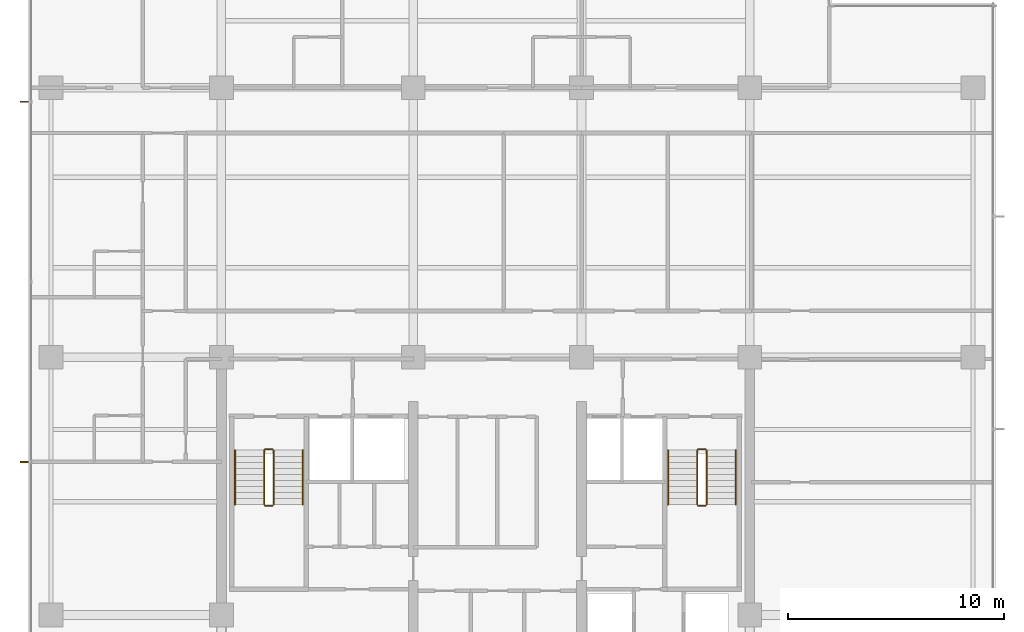
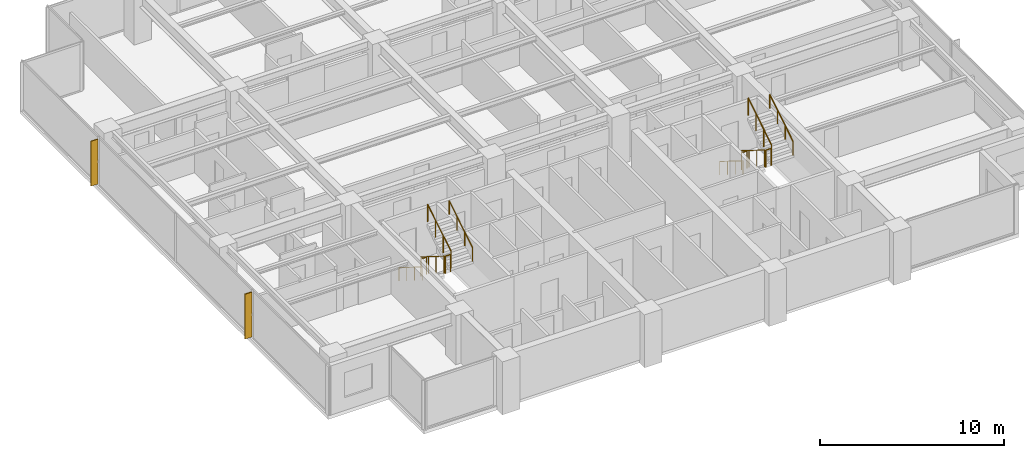
# One storey, part 14 of 15: 12 railings, 2 shading devices.
"""IFC4 building model written with IfcOpenShell, lengths in metres."""

from ifc_helpers import new_model, si_unit, direction, frame, origin, origin_2d, place, context, subcontext, project, spatial, polyline, circle, outline, extrude, material, layer, layer_set, type_object, element, save


model = new_model("IFC4")

# Units and contexts
model_context = context("Model", 3, precision=1e-05, world=origin(), true_north=direction((0.0, 1.0)))
body_context = subcontext(model_context, "Body", "Model", "MODEL_VIEW")
ifc_project = project(units=[si_unit("LENGTHUNIT", "METRE"), si_unit("AREAUNIT", "SQUARE_METRE"), si_unit("VOLUMEUNIT", "CUBIC_METRE"), si_unit("PLANEANGLEUNIT", "RADIAN"), si_unit("MASSUNIT", "GRAM", prefix="KILO")], contexts=[model_context])

# Site, building, storey
site_placement = place(None, origin())
site = spatial("IfcSite", under=ifc_project, at=site_placement, CompositionType="ELEMENT")
building_placement = place(site_placement, origin())
building = spatial("IfcBuilding", under=site, at=building_placement, Name="Qalmaran Belvedere Hotel", CompositionType="ELEMENT")
storey_placement = place(building_placement, frame((0.0, 0.0, 159.60009765625)))
storey = spatial("IfcBuildingStorey", under=building, at=storey_placement, Name="L40", CompositionType="ELEMENT", Elevation=159.60009765625)

# Shading devices
ifc_material_1 = material(Name="Anodised Bronze Aluminium", Category="aluminium")
ifc_layer = layer(ifc_material_1, 0.06494140625, Name="Anodised Bronze Aluminium")
ifc_layer_set = layer_set([ifc_layer], Name="Anodised Bronze Aluminium")
shading_device_type = type_object("IfcShadingDeviceType", Name="FIN-BRNZ-420", PredefinedType="USERDEFINED", material=ifc_layer_set)
shading_device_1_placement = place(storey_placement, frame((0.0, 0.0, 0.159912109375)))
element("IfcShadingDevice", 1, at=shading_device_1_placement, inside=storey, type_object=shading_device_type, Name="L40 Bronze Fin 1", ObjectType="FIN", PredefinedType="USERDEFINED", context=body_context, shape_type="SweptSolid", body=[
    extrude(outline(polyline([(11.3798828125, 32.382568359375), (10.9599609375, 32.382568359375), (10.9599609375, 32.3173828125), (11.3798828125, 32.3173828125), (11.3798828125, 32.382568359375)])), origin(), (0.0, 0.0, 1.0), 2.969970703125),
])
shading_device_2_placement = place(storey_placement, frame((0.0, 0.0, 0.159912109375)))
element("IfcShadingDevice", 2, at=shading_device_2_placement, inside=storey, type_object=shading_device_type, Name="L40 Bronze Fin 3", ObjectType="FIN", PredefinedType="USERDEFINED", context=body_context, shape_type="SweptSolid", body=[
    extrude(outline(polyline([(11.3798828125, 15.6826171875), (10.9599609375, 15.6826171875), (10.9599609375, 15.617431640625), (11.3798828125, 15.617431640625), (11.3798828125, 15.6826171875)])), origin(), (0.0, 0.0, 1.0), 2.969970703125),
])

# Railings
ifc_material_2 = material(Name="Stainless Steel 1.4401", Category="steel")
railing_type_1 = type_object("IfcRailingType", Name="RLG-STAIR-GUARD-1150", PredefinedType="GUARDRAIL", material=ifc_material_2)
railing_1_placement = place(storey_placement, frame((22.280029296875, 16.18994140625, 0.1748046875)))
element("IfcRailing", 3, at=railing_1_placement, inside=storey, type_object=railing_type_1, Name="L40 ST-1 stair guard 1", PredefinedType="GUARDRAIL", context=body_context, shape_type="SweptSolid", body=[
    extrude(circle(Radius=0.02392578125, at=origin_2d()), frame((0.0, 0.0, 1.1259765625), z_axis=(0.0, -0.847970611238, 0.530043245855), x_axis=(1.0, 0.0, 0.0)), (0.0, 0.0, 1.0), 2.971923828125),
    extrude(circle(Radius=0.02099609375, at=origin_2d()), origin(), (0.0, 0.0, 1.0), 1.101806640625),
    extrude(circle(Radius=0.02099609375, at=origin_2d()), frame((0.0, -0.840087890625, 0.525146484375)), (0.0, 0.0, 1.0), 1.101806640625),
    extrude(circle(Radius=0.02099609375, at=origin_2d()), frame((0.0, -1.679931640625, 1.050048828125)), (0.0, 0.0, 1.0), 1.101806640625),
    extrude(circle(Radius=0.02099609375, at=origin_2d()), frame((0.0, -2.52001953125, 1.5751953125)), (0.0, 0.0, 1.0), 1.101806640625),
])
railing_2_placement = place(storey_placement, frame((22.330078125, 13.6201171875, 1.75)))
element("IfcRailing", 4, at=railing_2_placement, inside=storey, type_object=railing_type_1, Name="L40 ST-1 stair guard 2", PredefinedType="GUARDRAIL", context=body_context, shape_type="SweptSolid", body=[
    extrude(circle(Radius=0.02392578125, at=origin_2d()), frame((0.0, 0.0, 1.1259765625), z_axis=(1.0, 0.0, 0.0), x_axis=(0.0, 1.0, 0.0)), (0.0, 0.0, 1.0), 0.33984375),
    extrude(circle(Radius=0.02099609375, at=origin_2d()), origin(), (0.0, 0.0, 1.0), 1.101806640625),
    extrude(circle(Radius=0.02099609375, at=origin_2d()), frame((0.33984375, 0.0, 0.0)), (0.0, 0.0, 1.0), 1.101806640625),
])
railing_3_placement = place(storey_placement, frame((22.719970703125, 13.669921875, 1.9248046875)))
element("IfcRailing", 5, at=railing_3_placement, inside=storey, type_object=railing_type_1, Name="L40 ST-1 stair guard 3", PredefinedType="GUARDRAIL", context=body_context, shape_type="SweptSolid", body=[
    extrude(circle(Radius=0.02392578125, at=origin_2d()), frame((0.0, 0.0, 1.1259765625), z_axis=(0.0, 0.847970611238, 0.530043245855), x_axis=(-1.0, 0.0, 0.0)), (0.0, 0.0, 1.0), 2.971923828125),
    extrude(circle(Radius=0.02099609375, at=origin_2d()), origin(), (0.0, 0.0, 1.0), 1.101806640625),
    extrude(circle(Radius=0.02099609375, at=origin_2d()), frame((0.0, 0.840087890625, 0.525146484375)), (0.0, 0.0, 1.0), 1.101806640625),
    extrude(circle(Radius=0.02099609375, at=origin_2d()), frame((0.0, 1.679931640625, 1.050048828125)), (0.0, 0.0, 1.0), 1.101806640625),
    extrude(circle(Radius=0.02099609375, at=origin_2d()), frame((0.0, 2.52001953125, 1.5751953125)), (0.0, 0.0, 1.0), 1.101806640625),
])
railing_4_placement = place(storey_placement, frame((22.330078125, 16.239990234375, 0.0)))
element("IfcRailing", 6, at=railing_4_placement, inside=storey, type_object=railing_type_1, Name="L40 ST-1 stair guard 4", PredefinedType="GUARDRAIL", context=body_context, shape_type="SweptSolid", body=[
    extrude(circle(Radius=0.02392578125, at=origin_2d()), frame((0.0, 0.0, 1.1259765625), z_axis=(1.0, 0.0, 0.0), x_axis=(0.0, 1.0, 0.0)), (0.0, 0.0, 1.0), 0.33984375),
    extrude(circle(Radius=0.02099609375, at=origin_2d()), origin(), (0.0, 0.0, 1.0), 1.101806640625),
    extrude(circle(Radius=0.02099609375, at=origin_2d()), frame((0.33984375, 0.0, 0.0)), (0.0, 0.0, 1.0), 1.101806640625),
])
railing_5_placement = place(storey_placement, frame((42.360107421875, 16.18994140625, 0.1748046875)))
element("IfcRailing", 7, at=railing_5_placement, inside=storey, type_object=railing_type_1, Name="L40 ST-2 stair guard 1", PredefinedType="GUARDRAIL", context=body_context, shape_type="SweptSolid", body=[
    extrude(circle(Radius=0.02392578125, at=origin_2d()), frame((0.0, 0.0, 1.1259765625), z_axis=(0.0, -0.847970611238, 0.530043245855), x_axis=(1.0, 0.0, 0.0)), (0.0, 0.0, 1.0), 2.971923828125),
    extrude(circle(Radius=0.02099609375, at=origin_2d()), origin(), (0.0, 0.0, 1.0), 1.101806640625),
    extrude(circle(Radius=0.02099609375, at=origin_2d()), frame((0.0, -0.840087890625, 0.525146484375)), (0.0, 0.0, 1.0), 1.101806640625),
    extrude(circle(Radius=0.02099609375, at=origin_2d()), frame((0.0, -1.679931640625, 1.050048828125)), (0.0, 0.0, 1.0), 1.101806640625),
    extrude(circle(Radius=0.02099609375, at=origin_2d()), frame((0.0, -2.52001953125, 1.5751953125)), (0.0, 0.0, 1.0), 1.101806640625),
])
railing_6_placement = place(storey_placement, frame((42.409912109375, 13.6201171875, 1.75)))
element("IfcRailing", 8, at=railing_6_placement, inside=storey, type_object=railing_type_1, Name="L40 ST-2 stair guard 2", PredefinedType="GUARDRAIL", context=body_context, shape_type="SweptSolid", body=[
    extrude(circle(Radius=0.02392578125, at=origin_2d()), frame((0.0, 0.0, 1.1259765625), z_axis=(1.0, 0.0, 0.0), x_axis=(0.0, 1.0, 0.0)), (0.0, 0.0, 1.0), 0.340087890625),
    extrude(circle(Radius=0.02099609375, at=origin_2d()), origin(), (0.0, 0.0, 1.0), 1.101806640625),
    extrude(circle(Radius=0.02099609375, at=origin_2d()), frame((0.340087890625, 0.0, 0.0)), (0.0, 0.0, 1.0), 1.101806640625),
])
railing_7_placement = place(storey_placement, frame((42.800048828125, 13.669921875, 1.9248046875)))
element("IfcRailing", 9, at=railing_7_placement, inside=storey, type_object=railing_type_1, Name="L40 ST-2 stair guard 3", PredefinedType="GUARDRAIL", context=body_context, shape_type="SweptSolid", body=[
    extrude(circle(Radius=0.02392578125, at=origin_2d()), frame((0.0, 0.0, 1.1259765625), z_axis=(0.0, 0.847970611238, 0.530043245855), x_axis=(-1.0, 0.0, 0.0)), (0.0, 0.0, 1.0), 2.971923828125),
    extrude(circle(Radius=0.02099609375, at=origin_2d()), origin(), (0.0, 0.0, 1.0), 1.101806640625),
    extrude(circle(Radius=0.02099609375, at=origin_2d()), frame((0.0, 0.840087890625, 0.525146484375)), (0.0, 0.0, 1.0), 1.101806640625),
    extrude(circle(Radius=0.02099609375, at=origin_2d()), frame((0.0, 1.679931640625, 1.050048828125)), (0.0, 0.0, 1.0), 1.101806640625),
    extrude(circle(Radius=0.02099609375, at=origin_2d()), frame((0.0, 2.52001953125, 1.5751953125)), (0.0, 0.0, 1.0), 1.101806640625),
])
railing_8_placement = place(storey_placement, frame((42.409912109375, 16.239990234375, 0.0)))
element("IfcRailing", 10, at=railing_8_placement, inside=storey, type_object=railing_type_1, Name="L40 ST-2 stair guard 4", PredefinedType="GUARDRAIL", context=body_context, shape_type="SweptSolid", body=[
    extrude(circle(Radius=0.02392578125, at=origin_2d()), frame((0.0, 0.0, 1.1259765625), z_axis=(1.0, 0.0, 0.0), x_axis=(0.0, 1.0, 0.0)), (0.0, 0.0, 1.0), 0.340087890625),
    extrude(circle(Radius=0.02099609375, at=origin_2d()), origin(), (0.0, 0.0, 1.0), 1.101806640625),
    extrude(circle(Radius=0.02099609375, at=origin_2d()), frame((0.340087890625, 0.0, 0.0)), (0.0, 0.0, 1.0), 1.101806640625),
])
railing_type_2 = type_object("IfcRailingType", Name="RLG-STAIR-HAND-910", PredefinedType="HANDRAIL", material=ifc_material_2)
railing_9_placement = place(storey_placement, frame((20.929931640625, 16.18994140625, 0.1748046875)))
element("IfcRailing", 11, at=railing_9_placement, inside=storey, type_object=railing_type_2, Name="L40 ST-1 stair handrail 1", PredefinedType="HANDRAIL", context=body_context, shape_type="SweptSolid", body=[
    extrude(circle(Radius=0.02392578125, at=origin_2d()), frame((0.0, 0.0, 0.8857421875), z_axis=(0.0, -0.847970611238, 0.530043245855), x_axis=(1.0, 0.0, 0.0)), (0.0, 0.0, 1.0), 2.971923828125),
    extrude(circle(Radius=0.02099609375, at=origin_2d()), origin(), (0.0, 0.0, 1.0), 0.86181640625),
    extrude(circle(Radius=0.02099609375, at=origin_2d()), frame((0.0, -0.840087890625, 0.525146484375)), (0.0, 0.0, 1.0), 0.86181640625),
    extrude(circle(Radius=0.02099609375, at=origin_2d()), frame((0.0, -1.679931640625, 1.050048828125)), (0.0, 0.0, 1.0), 0.86181640625),
    extrude(circle(Radius=0.02099609375, at=origin_2d()), frame((0.0, -2.52001953125, 1.5751953125)), (0.0, 0.0, 1.0), 0.86181640625),
])
railing_10_placement = place(storey_placement, frame((24.070068359375, 13.669921875, 1.9248046875)))
element("IfcRailing", 12, at=railing_10_placement, inside=storey, type_object=railing_type_2, Name="L40 ST-1 stair handrail 2", PredefinedType="HANDRAIL", context=body_context, shape_type="SweptSolid", body=[
    extrude(circle(Radius=0.02392578125, at=origin_2d()), frame((0.0, 0.0, 0.8857421875), z_axis=(0.0, 0.847970611238, 0.530043245855), x_axis=(-1.0, 0.0, 0.0)), (0.0, 0.0, 1.0), 2.971923828125),
    extrude(circle(Radius=0.02099609375, at=origin_2d()), origin(), (0.0, 0.0, 1.0), 0.86181640625),
    extrude(circle(Radius=0.02099609375, at=origin_2d()), frame((0.0, 0.840087890625, 0.525146484375)), (0.0, 0.0, 1.0), 0.86181640625),
    extrude(circle(Radius=0.02099609375, at=origin_2d()), frame((0.0, 1.679931640625, 1.050048828125)), (0.0, 0.0, 1.0), 0.86181640625),
    extrude(circle(Radius=0.02099609375, at=origin_2d()), frame((0.0, 2.52001953125, 1.5751953125)), (0.0, 0.0, 1.0), 0.86181640625),
])
railing_11_placement = place(storey_placement, frame((41.010009765625, 16.18994140625, 0.1748046875)))
element("IfcRailing", 13, at=railing_11_placement, inside=storey, type_object=railing_type_2, Name="L40 ST-2 stair handrail 1", PredefinedType="HANDRAIL", context=body_context, shape_type="SweptSolid", body=[
    extrude(circle(Radius=0.02392578125, at=origin_2d()), frame((0.0, 0.0, 0.8857421875), z_axis=(0.0, -0.847970611238, 0.530043245855), x_axis=(1.0, 0.0, 0.0)), (0.0, 0.0, 1.0), 2.971923828125),
    extrude(circle(Radius=0.02099609375, at=origin_2d()), origin(), (0.0, 0.0, 1.0), 0.86181640625),
    extrude(circle(Radius=0.02099609375, at=origin_2d()), frame((0.0, -0.840087890625, 0.525146484375)), (0.0, 0.0, 1.0), 0.86181640625),
    extrude(circle(Radius=0.02099609375, at=origin_2d()), frame((0.0, -1.679931640625, 1.050048828125)), (0.0, 0.0, 1.0), 0.86181640625),
    extrude(circle(Radius=0.02099609375, at=origin_2d()), frame((0.0, -2.52001953125, 1.5751953125)), (0.0, 0.0, 1.0), 0.86181640625),
])
railing_12_placement = place(storey_placement, frame((44.14990234375, 13.669921875, 1.9248046875)))
element("IfcRailing", 14, at=railing_12_placement, inside=storey, type_object=railing_type_2, Name="L40 ST-2 stair handrail 2", PredefinedType="HANDRAIL", context=body_context, shape_type="SweptSolid", body=[
    extrude(circle(Radius=0.02392578125, at=origin_2d()), frame((0.0, 0.0, 0.8857421875), z_axis=(0.0, 0.847970611238, 0.530043245855), x_axis=(-1.0, 0.0, 0.0)), (0.0, 0.0, 1.0), 2.971923828125),
    extrude(circle(Radius=0.02099609375, at=origin_2d()), origin(), (0.0, 0.0, 1.0), 0.86181640625),
    extrude(circle(Radius=0.02099609375, at=origin_2d()), frame((0.0, 0.840087890625, 0.525146484375)), (0.0, 0.0, 1.0), 0.86181640625),
    extrude(circle(Radius=0.02099609375, at=origin_2d()), frame((0.0, 1.679931640625, 1.050048828125)), (0.0, 0.0, 1.0), 0.86181640625),
    extrude(circle(Radius=0.02099609375, at=origin_2d()), frame((0.0, 2.52001953125, 1.5751953125)), (0.0, 0.0, 1.0), 0.86181640625),
])

save(model, "model.ifc")
